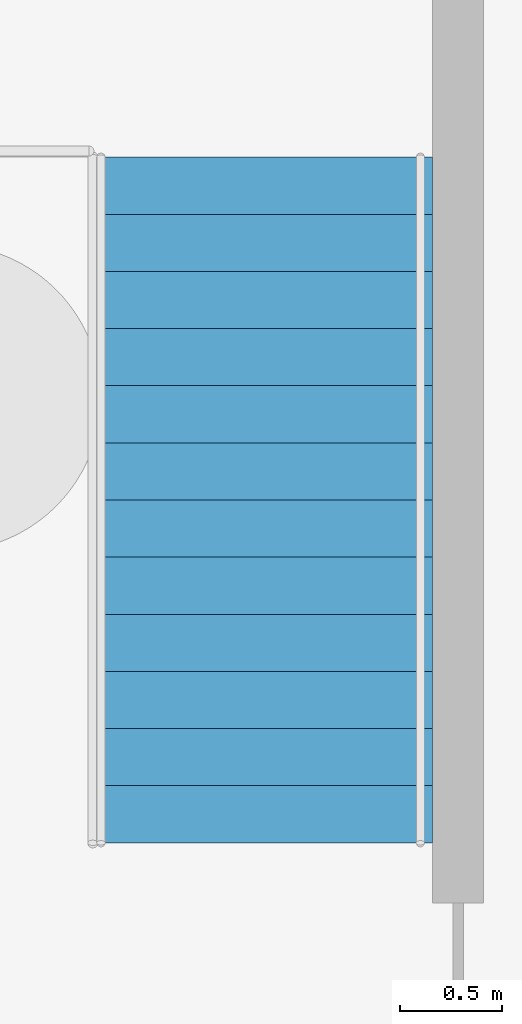
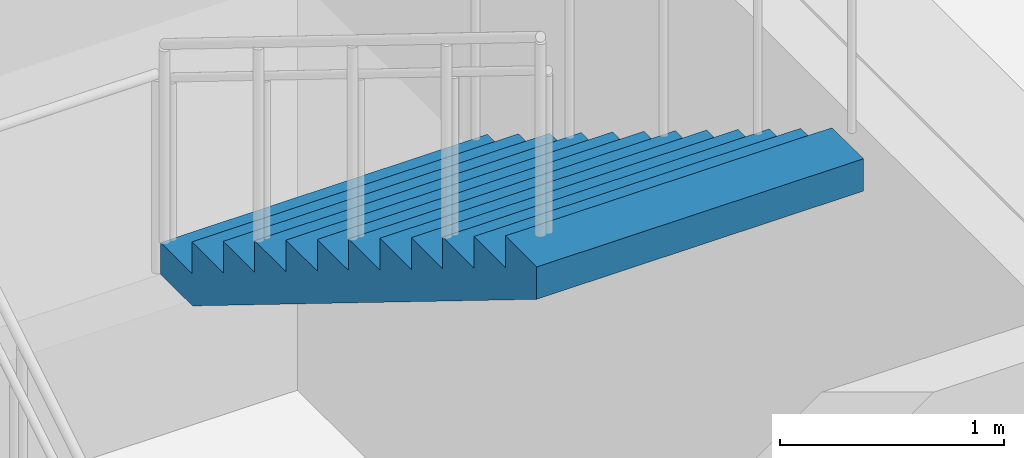
# One storey, part 16 of 28: 1 stair flight, 1 element without a shape of its own.
"""IFC4 building model written with IfcOpenShell, lengths in metres."""

from ifc_helpers import new_model, si_unit, direction, frame, origin, place, context, subcontext, project, spatial, triangles, material, type_object, element, aggregate, save


model = new_model("IFC4")

# Units and contexts
model_context = context("Model", 3, precision=1e-05, world=origin(), true_north=direction((0.0, 1.0)))
body_context = subcontext(model_context, "Body", "Model", "MODEL_VIEW")
ifc_project = project(units=[si_unit("LENGTHUNIT", "METRE"), si_unit("AREAUNIT", "SQUARE_METRE"), si_unit("VOLUMEUNIT", "CUBIC_METRE"), si_unit("PLANEANGLEUNIT", "RADIAN"), si_unit("MASSUNIT", "GRAM", prefix="KILO")], contexts=[model_context])

# Site, building, storey
site_placement = place(None, origin())
site = spatial("IfcSite", under=ifc_project, at=site_placement, CompositionType="ELEMENT")
building_placement = place(site_placement, origin())
building = spatial("IfcBuilding", under=site, at=building_placement, Name="Orbita Commons", CompositionType="ELEMENT")
storey_placement = place(building_placement, frame((0.0, 0.0, -9.0)))
storey = spatial("IfcBuildingStorey", under=building, at=storey_placement, Name="L-02", CompositionType="ELEMENT", Elevation=-9.0)

# Stair, stair flight
ifc_material_1 = material(Name="Precast concrete C40/50", Category="concrete")
stair_type = type_object("IfcStairType", Name="Podium exit stair 2 flights 13 risers 173", PredefinedType="HALF_TURN_STAIR", material=ifc_material_1)
stair_placement = place(storey_placement, origin())
stair = element("IfcStair", 1, at=stair_placement, inside=storey, type_object=stair_type, Name="Podium exit stair PS2 L-02", PredefinedType="HALF_TURN_STAIR")
ifc_material_2 = material(Name="Precast concrete C40/50", Category="concrete")
stair_flight_type = type_object("IfcStairFlightType", Name="Podium stair flight 13 risers 173 x 1685", PredefinedType="STRAIGHT", material=ifc_material_2)
stair_flight_placement = place(storey_placement, frame((76.4326171875, 33.179931640625, 2.25), z_axis=(0.0, 0.0, 1.0), x_axis=(0.0, -1.0, 0.0)))
stair_flight = element("IfcStairFlight", 2, at=stair_flight_placement, type_object=stair_flight_type, Name="PS2 flight 2", NumberOfRisers=13, NumberOfTreads=12, PredefinedType="STRAIGHT", RiserHeight=0.173076923, TreadLength=0.28, context=body_context, shape_type="Tessellation", body=[
    triangles([(0.0, 0.842529, 0.0), (0.0, 0.842529, 0.021635), (0.0, 0.702108, 0.021635), (0.0, 0.702108, 0.0), (0.0, 0.561686, 0.021635), (0.0, 0.561686, 0.0), (0.0, 0.421265, 0.021635), (0.0, 0.421265, 0.0), (0.0, 0.280843, 0.021635), (0.0, 0.280843, 0.0), (0.0, 0.140422, 0.021635), (0.0, 0.140422, 0.0), (0.0, 0.0, 0.021635), (0.0, 0.0, 0.0), (0.0, -0.140422, 0.021635), (0.0, -0.140422, 0.0), (0.0, -0.280843, 0.021635), (0.0, -0.280843, 0.0), (0.0, -0.421265, 0.021635), (0.0, -0.421265, 0.0), (0.0, -0.561686, 0.021635), (0.0, -0.561686, 0.0), (0.0, -0.702108, 0.021635), (0.0, -0.702108, 0.0), (0.0, -0.842529, 0.021635), (0.0, -0.842529, 0.0), (0.0, 0.842529, 0.043269), (0.0, 0.702108, 0.043269), (0.0, 0.561686, 0.043269), (0.0, 0.421265, 0.043269), (0.0, 0.280843, 0.043269), (0.0, 0.140422, 0.043269), (0.0, 0.0, 0.043269), (0.0, -0.140422, 0.043269), (0.0, -0.280843, 0.043269), (0.0, -0.421265, 0.043269), (0.0, -0.561686, 0.043269), (0.0, -0.702108, 0.043269), (0.0, -0.842529, 0.043269), (0.0, 0.842529, 0.064904), (0.0, 0.702108, 0.064904), (0.0, 0.561686, 0.064904), (0.0, 0.421265, 0.064904), (0.0, 0.280843, 0.064904), (0.0, 0.140422, 0.064904), (0.0, 0.0, 0.064904), (0.0, -0.140422, 0.064904), (0.0, -0.280843, 0.064904), (0.0, -0.421265, 0.064904), (0.0, -0.561686, 0.064904), (0.0, -0.702108, 0.064904), (0.0, -0.842529, 0.064904), (0.0, 0.842529, 0.086538), (0.0, 0.702108, 0.086538), (0.0, 0.561686, 0.086538), (0.0, 0.421265, 0.086538), (0.0, 0.280843, 0.086538), (0.0, 0.140422, 0.086538), (0.0, 0.0, 0.086538), (0.0, -0.140422, 0.086538), (0.0, -0.280843, 0.086538), (0.0, -0.421265, 0.086538), (0.0, -0.561686, 0.086538), (0.0, -0.702108, 0.086538), (0.0, -0.842529, 0.086538), (0.0, 0.842529, 0.108173), (0.0, 0.702108, 0.108173), (0.0, 0.561686, 0.108173), (0.0, 0.421265, 0.108173), (0.0, 0.280843, 0.108173), (0.0, 0.140422, 0.108173), (0.0, 0.0, 0.108173), (0.0, -0.140422, 0.108173), (0.0, -0.280843, 0.108173), (0.0, -0.421265, 0.108173), (0.0, -0.561686, 0.108173), (0.0, -0.702108, 0.108173), (0.0, -0.842529, 0.108173), (0.0, 0.842529, 0.129808), (0.0, 0.702108, 0.129808), (0.0, 0.561686, 0.129808), (0.0, 0.421265, 0.129808), (0.0, 0.280843, 0.129808), (0.0, 0.140422, 0.129808), (0.0, 0.0, 0.129808), (0.0, -0.140422, 0.129808), (0.0, -0.280843, 0.129808), (0.0, -0.421265, 0.129808), (0.0, -0.561686, 0.129808), (0.0, -0.702108, 0.129808), (0.0, -0.842529, 0.129808), (0.0, 0.842529, 0.151442), (0.0, 0.702108, 0.151442), (0.0, 0.561686, 0.151442), (0.0, 0.421265, 0.151442), (0.0, 0.280843, 0.151442), (0.0, 0.140422, 0.151442), (0.0, 0.0, 0.151442), (0.0, -0.140422, 0.151442), (0.0, -0.280843, 0.151442), (0.0, -0.421265, 0.151442), (0.0, -0.561686, 0.151442), (0.0, -0.702108, 0.151442), (0.0, -0.842529, 0.151442), (0.0, 0.842529, 0.173077), (0.0, 0.702108, 0.173077), (0.0, 0.561686, 0.173077), (0.0, 0.421265, 0.173077), (0.0, 0.280843, 0.173077), (0.0, 0.140422, 0.173077), (0.0, 0.0, 0.173077), (0.0, -0.140422, 0.173077), (0.0, -0.280843, 0.173077), (0.0, -0.421265, 0.173077), (0.0, -0.561686, 0.173077), (0.0, -0.702108, 0.173077), (0.0, -0.842529, 0.173077), (0.28, 0.842529, 0.173077), (0.28, 0.702108, 0.173077), (0.28, 0.561686, 0.173077), (0.28, 0.421265, 0.173077), (0.28, 0.280843, 0.173077), (0.28, 0.140422, 0.173077), (0.28, 0.0, 0.173077), (0.28, -0.140422, 0.173077), (0.28, -0.280843, 0.173077), (0.28, -0.421265, 0.173077), (0.28, -0.561686, 0.173077), (0.28, -0.702108, 0.173077), (0.28, -0.842529, 0.173077), (0.28, 0.842529, 0.346154), (0.28, 0.702108, 0.346154), (0.28, 0.561686, 0.346154), (0.28, 0.421265, 0.346154), (0.28, 0.280843, 0.346154), (0.28, 0.140422, 0.346154), (0.28, 0.0, 0.346154), (0.28, -0.140422, 0.346154), (0.28, -0.280843, 0.346154), (0.28, -0.421265, 0.346154), (0.28, -0.561686, 0.346154), (0.28, -0.702108, 0.346154), (0.28, -0.842529, 0.346154), (0.56, 0.842529, 0.346154), (0.56, 0.702108, 0.346154), (0.56, 0.561686, 0.346154), (0.56, 0.421265, 0.346154), (0.56, 0.280843, 0.346154), (0.56, 0.140422, 0.346154), (0.56, 0.0, 0.346154), (0.56, -0.140422, 0.346154), (0.56, -0.280843, 0.346154), (0.56, -0.421265, 0.346154), (0.56, -0.561686, 0.346154), (0.56, -0.702108, 0.346154), (0.56, -0.842529, 0.346154), (0.56, 0.842529, 0.519231), (0.56, 0.702108, 0.519231), (0.56, 0.561686, 0.519231), (0.56, 0.421265, 0.519231), (0.56, 0.280843, 0.519231), (0.56, 0.140422, 0.519231), (0.56, 0.0, 0.519231), (0.56, -0.140422, 0.519231), (0.56, -0.280843, 0.519231), (0.56, -0.421265, 0.519231), (0.56, -0.561686, 0.519231), (0.56, -0.702108, 0.519231), (0.56, -0.842529, 0.519231), (0.84, 0.842529, 0.519231), (0.84, 0.702108, 0.519231), (0.84, 0.561686, 0.519231), (0.84, 0.421265, 0.519231), (0.84, 0.280843, 0.519231), (0.84, 0.140422, 0.519231), (0.84, 0.0, 0.519231), (0.84, -0.140422, 0.519231), (0.84, -0.280843, 0.519231), (0.84, -0.421265, 0.519231), (0.84, -0.561686, 0.519231), (0.84, -0.702108, 0.519231), (0.84, -0.842529, 0.519231), (0.84, 0.842529, 0.692308), (0.84, 0.702108, 0.692308), (0.84, 0.561686, 0.692308), (0.84, 0.421265, 0.692308), (0.84, 0.280843, 0.692308), (0.84, 0.140422, 0.692308), (0.84, 0.0, 0.692308), (0.84, -0.140422, 0.692308), (0.84, -0.280843, 0.692308), (0.84, -0.421265, 0.692308), (0.84, -0.561686, 0.692308), (0.84, -0.702108, 0.692308), (0.84, -0.842529, 0.692308), (1.12, 0.842529, 0.692308), (1.12, 0.702108, 0.692308), (1.12, 0.561686, 0.692308), (1.12, 0.421265, 0.692308), (1.12, 0.280843, 0.692308), (1.12, 0.140422, 0.692308), (1.12, 0.0, 0.692308), (1.12, -0.140422, 0.692308), (1.12, -0.280843, 0.692308), (1.12, -0.421265, 0.692308), (1.12, -0.561686, 0.692308), (1.12, -0.702108, 0.692308), (1.12, -0.842529, 0.692308), (1.12, 0.842529, 0.865385), (1.12, 0.702108, 0.865385), (1.12, 0.561686, 0.865385), (1.12, 0.421265, 0.865385), (1.12, 0.280843, 0.865385), (1.12, 0.140422, 0.865385), (1.12, 0.0, 0.865385), (1.12, -0.140422, 0.865385), (1.12, -0.280843, 0.865385), (1.12, -0.421265, 0.865385), (1.12, -0.561686, 0.865385), (1.12, -0.702108, 0.865385), (1.12, -0.842529, 0.865385), (1.4, 0.842529, 0.865385), (1.4, 0.702108, 0.865385), (1.4, 0.561686, 0.865385), (1.4, 0.421265, 0.865385), (1.4, 0.280843, 0.865385), (1.4, 0.140422, 0.865385), (1.4, 0.0, 0.865385), (1.4, -0.140422, 0.865385), (1.4, -0.280843, 0.865385), (1.4, -0.421265, 0.865385), (1.4, -0.561686, 0.865385), (1.4, -0.702108, 0.865385), (1.4, -0.842529, 0.865385), (1.4, 0.842529, 1.038462), (1.4, 0.702108, 1.038462), (1.4, 0.561686, 1.038462), (1.4, 0.421265, 1.038462), (1.4, 0.280843, 1.038462), (1.4, 0.140422, 1.038462), (1.4, 0.0, 1.038462), (1.4, -0.140422, 1.038462), (1.4, -0.280843, 1.038462), (1.4, -0.421265, 1.038462), (1.4, -0.561686, 1.038462), (1.4, -0.702108, 1.038462), (1.4, -0.842529, 1.038462), (1.68, 0.842529, 1.038462), (1.68, 0.702108, 1.038462), (1.68, 0.561686, 1.038462), (1.68, 0.421265, 1.038462), (1.68, 0.280843, 1.038462), (1.68, 0.140422, 1.038462), (1.68, 0.0, 1.038462), (1.68, -0.140422, 1.038462), (1.68, -0.280843, 1.038462), (1.68, -0.421265, 1.038462), (1.68, -0.561686, 1.038462), (1.68, -0.702108, 1.038462), (1.68, -0.842529, 1.038462), (1.68, 0.842529, 1.211538), (1.68, 0.702108, 1.211538), (1.68, 0.561686, 1.211538), (1.68, 0.421265, 1.211538), (1.68, 0.280843, 1.211538), (1.68, 0.140422, 1.211538), (1.68, 0.0, 1.211538), (1.68, -0.140422, 1.211538), (1.68, -0.280843, 1.211538), (1.68, -0.421265, 1.211538), (1.68, -0.561686, 1.211538), (1.68, -0.702108, 1.211538), (1.68, -0.842529, 1.211538), (1.96, 0.842529, 1.211538), (1.96, 0.702108, 1.211538), (1.96, 0.561686, 1.211538), (1.96, 0.421265, 1.211538), (1.96, 0.280843, 1.211538), (1.96, 0.140422, 1.211538), (1.96, 0.0, 1.211538), (1.96, -0.140422, 1.211538), (1.96, -0.280843, 1.211538), (1.96, -0.421265, 1.211538), (1.96, -0.561686, 1.211538), (1.96, -0.702108, 1.211538), (1.96, -0.842529, 1.211538), (1.96, 0.842529, 1.384615), (1.96, 0.702108, 1.384615), (1.96, 0.561686, 1.384615), (1.96, 0.421265, 1.384615), (1.96, 0.280843, 1.384615), (1.96, 0.140422, 1.384615), (1.96, 0.0, 1.384615), (1.96, -0.140422, 1.384615), (1.96, -0.280843, 1.384615), (1.96, -0.421265, 1.384615), (1.96, -0.561686, 1.384615), (1.96, -0.702108, 1.384615), (1.96, -0.842529, 1.384615), (2.24, 0.842529, 1.384615), (2.24, 0.702108, 1.384615), (2.24, 0.561686, 1.384615), (2.24, 0.421265, 1.384615), (2.24, 0.280843, 1.384615), (2.24, 0.140422, 1.384615), (2.24, 0.0, 1.384615), (2.24, -0.140422, 1.384615), (2.24, -0.280843, 1.384615), (2.24, -0.421265, 1.384615), (2.24, -0.561686, 1.384615), (2.24, -0.702108, 1.384615), (2.24, -0.842529, 1.384615), (2.24, 0.842529, 1.557692), (2.24, 0.702108, 1.557692), (2.24, 0.561686, 1.557692), (2.24, 0.421265, 1.557692), (2.24, 0.280843, 1.557692), (2.24, 0.140422, 1.557692), (2.24, 0.0, 1.557692), (2.24, -0.140422, 1.557692), (2.24, -0.280843, 1.557692), (2.24, -0.421265, 1.557692), (2.24, -0.561686, 1.557692), (2.24, -0.702108, 1.557692), (2.24, -0.842529, 1.557692), (2.52, 0.842529, 1.557692), (2.52, 0.702108, 1.557692), (2.52, 0.561686, 1.557692), (2.52, 0.421265, 1.557692), (2.52, 0.280843, 1.557692), (2.52, 0.140422, 1.557692), (2.52, 0.0, 1.557692), (2.52, -0.140422, 1.557692), (2.52, -0.280843, 1.557692), (2.52, -0.421265, 1.557692), (2.52, -0.561686, 1.557692), (2.52, -0.702108, 1.557692), (2.52, -0.842529, 1.557692), (2.52, 0.842529, 1.730769), (2.52, 0.702108, 1.730769), (2.52, 0.561686, 1.730769), (2.52, 0.421265, 1.730769), (2.52, 0.280843, 1.730769), (2.52, 0.140422, 1.730769), (2.52, 0.0, 1.730769), (2.52, -0.140422, 1.730769), (2.52, -0.280843, 1.730769), (2.52, -0.421265, 1.730769), (2.52, -0.561686, 1.730769), (2.52, -0.702108, 1.730769), (2.52, -0.842529, 1.730769), (2.8, 0.842529, 1.730769), (2.8, 0.702108, 1.730769), (2.8, 0.561686, 1.730769), (2.8, 0.421265, 1.730769), (2.8, 0.280843, 1.730769), (2.8, 0.140422, 1.730769), (2.8, 0.0, 1.730769), (2.8, -0.140422, 1.730769), (2.8, -0.280843, 1.730769), (2.8, -0.421265, 1.730769), (2.8, -0.561686, 1.730769), (2.8, -0.702108, 1.730769), (2.8, -0.842529, 1.730769), (2.8, 0.842529, 1.903846), (2.8, 0.702108, 1.903846), (2.8, 0.561686, 1.903846), (2.8, 0.421265, 1.903846), (2.8, 0.280843, 1.903846), (2.8, 0.140422, 1.903846), (2.8, 0.0, 1.903846), (2.8, -0.140422, 1.903846), (2.8, -0.280843, 1.903846), (2.8, -0.421265, 1.903846), (2.8, -0.561686, 1.903846), (2.8, -0.702108, 1.903846), (2.8, -0.842529, 1.903846), (3.08, 0.842529, 1.903846), (3.08, 0.702108, 1.903846), (3.08, 0.561686, 1.903846), (3.08, 0.421265, 1.903846), (3.08, 0.280843, 1.903846), (3.08, 0.140422, 1.903846), (3.08, 0.0, 1.903846), (3.08, -0.140422, 1.903846), (3.08, -0.280843, 1.903846), (3.08, -0.421265, 1.903846), (3.08, -0.561686, 1.903846), (3.08, -0.702108, 1.903846), (3.08, -0.842529, 1.903846), (3.08, 0.842529, 2.076923), (3.08, 0.702108, 2.076923), (3.08, 0.561686, 2.076923), (3.08, 0.421265, 2.076923), (3.08, 0.280843, 2.076923), (3.08, 0.140422, 2.076923), (3.08, 0.0, 2.076923), (3.08, -0.140422, 2.076923), (3.08, -0.280843, 2.076923), (3.08, -0.421265, 2.076923), (3.08, -0.561686, 2.076923), (3.08, -0.702108, 2.076923), (3.08, -0.842529, 2.076923), (3.36, 0.842529, 2.076923), (3.36, 0.702108, 2.076923), (3.36, 0.561686, 2.076923), (3.36, 0.421265, 2.076923), (3.36, 0.280843, 2.076923), (3.36, 0.140422, 2.076923), (3.36, 0.0, 2.076923), (3.36, -0.140422, 2.076923), (3.36, -0.280843, 2.076923), (3.36, -0.421265, 2.076923), (3.36, -0.561686, 2.076923), (3.36, -0.702108, 2.076923), (3.36, -0.842529, 2.076923), (3.36, 0.842529, 2.054895), (3.36, 0.702108, 2.054895), (3.36, 0.561686, 2.054895), (3.36, 0.421265, 2.054895), (3.36, 0.280843, 2.054895), (3.36, 0.140422, 2.054895), (3.36, 0.0, 2.054895), (3.36, -0.140422, 2.054895), (3.36, -0.280843, 2.054895), (3.36, -0.421265, 2.054895), (3.36, -0.561686, 2.054895), (3.36, -0.702108, 2.054895), (3.36, -0.842529, 2.054895), (3.36, 0.842529, 2.032866), (3.36, 0.702108, 2.032866), (3.36, 0.561686, 2.032866), (3.36, 0.421265, 2.032866), (3.36, 0.280843, 2.032866), (3.36, 0.140422, 2.032866), (3.36, 0.0, 2.032866), (3.36, -0.140422, 2.032866), (3.36, -0.280843, 2.032866), (3.36, -0.421265, 2.032866), (3.36, -0.561686, 2.032866), (3.36, -0.702108, 2.032866), (3.36, -0.842529, 2.032866), (3.36, 0.842529, 2.010837), (3.36, 0.702108, 2.010837), (3.36, 0.561686, 2.010837), (3.36, 0.421265, 2.010837), (3.36, 0.280843, 2.010837), (3.36, 0.140422, 2.010837), (3.36, 0.0, 2.010837), (3.36, -0.140422, 2.010837), (3.36, -0.280843, 2.010837), (3.36, -0.421265, 2.010837), (3.36, -0.561686, 2.010837), (3.36, -0.702108, 2.010837), (3.36, -0.842529, 2.010837), (3.36, 0.842529, 1.988809), (3.36, 0.702108, 1.988809), (3.36, 0.561686, 1.988809), (3.36, 0.421265, 1.988809), (3.36, 0.280843, 1.988809), (3.36, 0.140422, 1.988809), (3.36, 0.0, 1.988809), (3.36, -0.140422, 1.988809), (3.36, -0.280843, 1.988809), (3.36, -0.421265, 1.988809), (3.36, -0.561686, 1.988809), (3.36, -0.702108, 1.988809), (3.36, -0.842529, 1.988809), (3.36, 0.842529, 1.96678), (3.36, 0.702108, 1.96678), (3.36, 0.561686, 1.96678), (3.36, 0.421265, 1.96678), (3.36, 0.280843, 1.96678), (3.36, 0.140422, 1.96678), (3.36, 0.0, 1.96678), (3.36, -0.140422, 1.96678), (3.36, -0.280843, 1.96678), (3.36, -0.421265, 1.96678), (3.36, -0.561686, 1.96678), (3.36, -0.702108, 1.96678), (3.36, -0.842529, 1.96678), (3.36, 0.842529, 1.944752), (3.36, 0.702108, 1.944752), (3.36, 0.561686, 1.944752), (3.36, 0.421265, 1.944752), (3.36, 0.280843, 1.944752), (3.36, 0.140422, 1.944752), (3.36, 0.0, 1.944752), (3.36, -0.140422, 1.944752), (3.36, -0.280843, 1.944752), (3.36, -0.421265, 1.944752), (3.36, -0.561686, 1.944752), (3.36, -0.702108, 1.944752), (3.36, -0.842529, 1.944752), (3.36, 0.842529, 1.922723), (3.36, 0.702108, 1.922723), (3.36, 0.561686, 1.922723), (3.36, 0.421265, 1.922723), (3.36, 0.280843, 1.922723), (3.36, 0.140422, 1.922723), (3.36, 0.0, 1.922723), (3.36, -0.140422, 1.922723), (3.36, -0.280843, 1.922723), (3.36, -0.421265, 1.922723), (3.36, -0.561686, 1.922723), (3.36, -0.702108, 1.922723), (3.36, -0.842529, 1.922723), (3.36, 0.842529, 1.900695), (3.36, 0.702108, 1.900695), (3.36, 0.561686, 1.900695), (3.36, 0.421265, 1.900695), (3.36, 0.280843, 1.900695), (3.36, 0.140422, 1.900695), (3.36, 0.0, 1.900695), (3.36, -0.140422, 1.900695), (3.36, -0.280843, 1.900695), (3.36, -0.421265, 1.900695), (3.36, -0.561686, 1.900695), (3.36, -0.702108, 1.900695), (3.36, -0.842529, 1.900695), (0.285099, 0.842529, 0.0), (0.285099, 0.702108, 0.0), (0.285099, 0.561686, 0.0), (0.285099, 0.421265, 0.0), (0.285099, 0.280843, 0.0), (0.285099, 0.140422, 0.0), (0.285099, 0.0, 0.0), (0.285099, -0.140422, 0.0), (0.285099, -0.280843, 0.0), (0.285099, -0.421265, 0.0), (0.285099, -0.561686, 0.0), (0.285099, -0.702108, 0.0), (0.285099, -0.842529, 0.0)], [[3, 2, 1], [4, 3, 1], [5, 3, 4], [6, 5, 4], [7, 5, 6], [8, 7, 6], [9, 7, 8], [10, 9, 8], [11, 9, 10], [12, 11, 10], [13, 11, 12], [14, 13, 12], [15, 13, 14], [16, 15, 14], [17, 15, 16], [18, 17, 16], [19, 17, 18], [20, 19, 18], [21, 19, 20], [22, 21, 20], [23, 21, 22], [24, 23, 22], [25, 23, 24], [26, 25, 24], [28, 27, 2], [3, 28, 2], [29, 28, 3], [5, 29, 3], [30, 29, 5], [7, 30, 5], [31, 30, 7], [9, 31, 7], [32, 31, 9], [11, 32, 9], [33, 32, 11], [13, 33, 11], [34, 33, 13], [15, 34, 13], [35, 34, 15], [17, 35, 15], [36, 35, 17], [19, 36, 17], [37, 36, 19], [21, 37, 19], [38, 37, 21], [23, 38, 21], [39, 38, 23], [25, 39, 23], [41, 40, 27], [28, 41, 27], [42, 41, 28], [29, 42, 28], [43, 42, 29], [30, 43, 29], [44, 43, 30], [31, 44, 30], [45, 44, 31], [32, 45, 31], [46, 45, 32], [33, 46, 32], [47, 46, 33], [34, 47, 33], [48, 47, 34], [35, 48, 34], [49, 48, 35], [36, 49, 35], [50, 49, 36], [37, 50, 36], [51, 50, 37], [38, 51, 37], [52, 51, 38], [39, 52, 38], [54, 53, 40], [41, 54, 40], [55, 54, 41], [42, 55, 41], [56, 55, 42], [43, 56, 42], [57, 56, 43], [44, 57, 43], [58, 57, 44], [45, 58, 44], [59, 58, 45], [46, 59, 45], [60, 59, 46], [47, 60, 46], [61, 60, 47], [48, 61, 47], [62, 61, 48], [49, 62, 48], [63, 62, 49], [50, 63, 49], [64, 63, 50], [51, 64, 50], [65, 64, 51], [52, 65, 51], [67, 66, 53], [54, 67, 53], [68, 67, 54], [55, 68, 54], [69, 68, 55], [56, 69, 55], [70, 69, 56], [57, 70, 56], [71, 70, 57], [58, 71, 57], [72, 71, 58], [59, 72, 58], [73, 72, 59], [60, 73, 59], [74, 73, 60], [61, 74, 60], [75, 74, 61], [62, 75, 61], [76, 75, 62], [63, 76, 62], [77, 76, 63], [64, 77, 63], [78, 77, 64], [65, 78, 64], [80, 79, 66], [67, 80, 66], [81, 80, 67], [68, 81, 67], [82, 81, 68], [69, 82, 68], [83, 82, 69], [70, 83, 69], [84, 83, 70], [71, 84, 70], [85, 84, 71], [72, 85, 71], [86, 85, 72], [73, 86, 72], [87, 86, 73], [74, 87, 73], [88, 87, 74], [75, 88, 74], [89, 88, 75], [76, 89, 75], [90, 89, 76], [77, 90, 76], [91, 90, 77], [78, 91, 77], [93, 92, 79], [80, 93, 79], [94, 93, 80], [81, 94, 80], [95, 94, 81], [82, 95, 81], [96, 95, 82], [83, 96, 82], [97, 96, 83], [84, 97, 83], [98, 97, 84], [85, 98, 84], [99, 98, 85], [86, 99, 85], [100, 99, 86], [87, 100, 86], [101, 100, 87], [88, 101, 87], [102, 101, 88], [89, 102, 88], [103, 102, 89], [90, 103, 89], [104, 103, 90], [91, 104, 90], [106, 105, 92], [93, 106, 92], [107, 106, 93], [94, 107, 93], [108, 107, 94], [95, 108, 94], [109, 108, 95], [96, 109, 95], [110, 109, 96], [97, 110, 96], [111, 110, 97], [98, 111, 97], [112, 111, 98], [99, 112, 98], [113, 112, 99], [100, 113, 99], [114, 113, 100], [101, 114, 100], [115, 114, 101], [102, 115, 101], [116, 115, 102], [103, 116, 102], [117, 116, 103], [104, 117, 103], [119, 118, 105], [106, 119, 105], [120, 119, 106], [107, 120, 106], [121, 120, 107], [108, 121, 107], [122, 121, 108], [109, 122, 108], [123, 122, 109], [110, 123, 109], [124, 123, 110], [111, 124, 110], [125, 124, 111], [112, 125, 111], [126, 125, 112], [113, 126, 112], [127, 126, 113], [114, 127, 113], [128, 127, 114], [115, 128, 114], [129, 128, 115], [116, 129, 115], [130, 129, 116], [117, 130, 116], [132, 131, 118], [119, 132, 118], [133, 132, 119], [120, 133, 119], [134, 133, 120], [121, 134, 120], [135, 134, 121], [122, 135, 121], [136, 135, 122], [123, 136, 122], [137, 136, 123], [124, 137, 123], [138, 137, 124], [125, 138, 124], [139, 138, 125], [126, 139, 125], [140, 139, 126], [127, 140, 126], [141, 140, 127], [128, 141, 127], [142, 141, 128], [129, 142, 128], [143, 142, 129], [130, 143, 129], [145, 144, 131], [132, 145, 131], [146, 145, 132], [133, 146, 132], [147, 146, 133], [134, 147, 133], [148, 147, 134], [135, 148, 134], [149, 148, 135], [136, 149, 135], [150, 149, 136], [137, 150, 136], [151, 150, 137], [138, 151, 137], [152, 151, 138], [139, 152, 138], [153, 152, 139], [140, 153, 139], [154, 153, 140], [141, 154, 140], [155, 154, 141], [142, 155, 141], [156, 155, 142], [143, 156, 142], [158, 157, 144], [145, 158, 144], [159, 158, 145], [146, 159, 145], [160, 159, 146], [147, 160, 146], [161, 160, 147], [148, 161, 147], [162, 161, 148], [149, 162, 148], [163, 162, 149], [150, 163, 149], [164, 163, 150], [151, 164, 150], [165, 164, 151], [152, 165, 151], [166, 165, 152], [153, 166, 152], [167, 166, 153], [154, 167, 153], [168, 167, 154], [155, 168, 154], [169, 168, 155], [156, 169, 155], [171, 170, 157], [158, 171, 157], [172, 171, 158], [159, 172, 158], [173, 172, 159], [160, 173, 159], [174, 173, 160], [161, 174, 160], [175, 174, 161], [162, 175, 161], [176, 175, 162], [163, 176, 162], [177, 176, 163], [164, 177, 163], [178, 177, 164], [165, 178, 164], [179, 178, 165], [166, 179, 165], [180, 179, 166], [167, 180, 166], [181, 180, 167], [168, 181, 167], [182, 181, 168], [169, 182, 168], [184, 183, 170], [171, 184, 170], [185, 184, 171], [172, 185, 171], [186, 185, 172], [173, 186, 172], [187, 186, 173], [174, 187, 173], [188, 187, 174], [175, 188, 174], [189, 188, 175], [176, 189, 175], [190, 189, 176], [177, 190, 176], [191, 190, 177], [178, 191, 177], [192, 191, 178], [179, 192, 178], [193, 192, 179], [180, 193, 179], [194, 193, 180], [181, 194, 180], [195, 194, 181], [182, 195, 181], [197, 196, 183], [184, 197, 183], [198, 197, 184], [185, 198, 184], [199, 198, 185], [186, 199, 185], [200, 199, 186], [187, 200, 186], [201, 200, 187], [188, 201, 187], [202, 201, 188], [189, 202, 188], [203, 202, 189], [190, 203, 189], [204, 203, 190], [191, 204, 190], [205, 204, 191], [192, 205, 191], [206, 205, 192], [193, 206, 192], [207, 206, 193], [194, 207, 193], [208, 207, 194], [195, 208, 194], [210, 209, 196], [197, 210, 196], [211, 210, 197], [198, 211, 197], [212, 211, 198], [199, 212, 198], [213, 212, 199], [200, 213, 199], [214, 213, 200], [201, 214, 200], [215, 214, 201], [202, 215, 201], [216, 215, 202], [203, 216, 202], [217, 216, 203], [204, 217, 203], [218, 217, 204], [205, 218, 204], [219, 218, 205], [206, 219, 205], [220, 219, 206], [207, 220, 206], [221, 220, 207], [208, 221, 207], [223, 222, 209], [210, 223, 209], [224, 223, 210], [211, 224, 210], [225, 224, 211], [212, 225, 211], [226, 225, 212], [213, 226, 212], [227, 226, 213], [214, 227, 213], [228, 227, 214], [215, 228, 214], [229, 228, 215], [216, 229, 215], [230, 229, 216], [217, 230, 216], [231, 230, 217], [218, 231, 217], [232, 231, 218], [219, 232, 218], [233, 232, 219], [220, 233, 219], [234, 233, 220], [221, 234, 220], [236, 235, 222], [223, 236, 222], [237, 236, 223], [224, 237, 223], [238, 237, 224], [225, 238, 224], [239, 238, 225], [226, 239, 225], [240, 239, 226], [227, 240, 226], [241, 240, 227], [228, 241, 227], [242, 241, 228], [229, 242, 228], [243, 242, 229], [230, 243, 229], [244, 243, 230], [231, 244, 230], [245, 244, 231], [232, 245, 231], [246, 245, 232], [233, 246, 232], [247, 246, 233], [234, 247, 233], [249, 248, 235], [236, 249, 235], [250, 249, 236], [237, 250, 236], [251, 250, 237], [238, 251, 237], [252, 251, 238], [239, 252, 238], [253, 252, 239], [240, 253, 239], [254, 253, 240], [241, 254, 240], [255, 254, 241], [242, 255, 241], [256, 255, 242], [243, 256, 242], [257, 256, 243], [244, 257, 243], [258, 257, 244], [245, 258, 244], [259, 258, 245], [246, 259, 245], [260, 259, 246], [247, 260, 246], [262, 261, 248], [249, 262, 248], [263, 262, 249], [250, 263, 249], [264, 263, 250], [251, 264, 250], [265, 264, 251], [252, 265, 251], [266, 265, 252], [253, 266, 252], [267, 266, 253], [254, 267, 253], [268, 267, 254], [255, 268, 254], [269, 268, 255], [256, 269, 255], [270, 269, 256], [257, 270, 256], [271, 270, 257], [258, 271, 257], [272, 271, 258], [259, 272, 258], [273, 272, 259], [260, 273, 259], [275, 274, 261], [262, 275, 261], [276, 275, 262], [263, 276, 262], [277, 276, 263], [264, 277, 263], [278, 277, 264], [265, 278, 264], [279, 278, 265], [266, 279, 265], [280, 279, 266], [267, 280, 266], [281, 280, 267], [268, 281, 267], [282, 281, 268], [269, 282, 268], [283, 282, 269], [270, 283, 269], [284, 283, 270], [271, 284, 270], [285, 284, 271], [272, 285, 271], [286, 285, 272], [273, 286, 272], [288, 287, 274], [275, 288, 274], [289, 288, 275], [276, 289, 275], [290, 289, 276], [277, 290, 276], [291, 290, 277], [278, 291, 277], [292, 291, 278], [279, 292, 278], [293, 292, 279], [280, 293, 279], [294, 293, 280], [281, 294, 280], [295, 294, 281], [282, 295, 281], [296, 295, 282], [283, 296, 282], [297, 296, 283], [284, 297, 283], [298, 297, 284], [285, 298, 284], [299, 298, 285], [286, 299, 285], [301, 300, 287], [288, 301, 287], [302, 301, 288], [289, 302, 288], [303, 302, 289], [290, 303, 289], [304, 303, 290], [291, 304, 290], [305, 304, 291], [292, 305, 291], [306, 305, 292], [293, 306, 292], [307, 306, 293], [294, 307, 293], [308, 307, 294], [295, 308, 294], [309, 308, 295], [296, 309, 295], [310, 309, 296], [297, 310, 296], [311, 310, 297], [298, 311, 297], [312, 311, 298], [299, 312, 298], [314, 313, 300], [301, 314, 300], [315, 314, 301], [302, 315, 301], [316, 315, 302], [303, 316, 302], [317, 316, 303], [304, 317, 303], [318, 317, 304], [305, 318, 304], [319, 318, 305], [306, 319, 305], [320, 319, 306], [307, 320, 306], [321, 320, 307], [308, 321, 307], [322, 321, 308], [309, 322, 308], [323, 322, 309], [310, 323, 309], [324, 323, 310], [311, 324, 310], [325, 324, 311], [312, 325, 311], [327, 326, 313], [314, 327, 313], [328, 327, 314], [315, 328, 314], [329, 328, 315], [316, 329, 315], [330, 329, 316], [317, 330, 316], [331, 330, 317], [318, 331, 317], [332, 331, 318], [319, 332, 318], [333, 332, 319], [320, 333, 319], [334, 333, 320], [321, 334, 320], [335, 334, 321], [322, 335, 321], [336, 335, 322], [323, 336, 322], [337, 336, 323], [324, 337, 323], [338, 337, 324], [325, 338, 324], [340, 339, 326], [327, 340, 326], [341, 340, 327], [328, 341, 327], [342, 341, 328], [329, 342, 328], [343, 342, 329], [330, 343, 329], [344, 343, 330], [331, 344, 330], [345, 344, 331], [332, 345, 331], [346, 345, 332], [333, 346, 332], [347, 346, 333], [334, 347, 333], [348, 347, 334], [335, 348, 334], [349, 348, 335], [336, 349, 335], [350, 349, 336], [337, 350, 336], [351, 350, 337], [338, 351, 337], [353, 352, 339], [340, 353, 339], [354, 353, 340], [341, 354, 340], [355, 354, 341], [342, 355, 341], [356, 355, 342], [343, 356, 342], [357, 356, 343], [344, 357, 343], [358, 357, 344], [345, 358, 344], [359, 358, 345], [346, 359, 345], [360, 359, 346], [347, 360, 346], [361, 360, 347], [348, 361, 347], [362, 361, 348], [349, 362, 348], [363, 362, 349], [350, 363, 349], [364, 363, 350], [351, 364, 350], [366, 365, 352], [353, 366, 352], [367, 366, 353], [354, 367, 353], [368, 367, 354], [355, 368, 354], [369, 368, 355], [356, 369, 355], [370, 369, 356], [357, 370, 356], [371, 370, 357], [358, 371, 357], [372, 371, 358], [359, 372, 358], [373, 372, 359], [360, 373, 359], [374, 373, 360], [361, 374, 360], [375, 374, 361], [362, 375, 361], [376, 375, 362], [363, 376, 362], [377, 376, 363], [364, 377, 363], [379, 378, 365], [366, 379, 365], [380, 379, 366], [367, 380, 366], [381, 380, 367], [368, 381, 367], [382, 381, 368], [369, 382, 368], [383, 382, 369], [370, 383, 369], [384, 383, 370], [371, 384, 370], [385, 384, 371], [372, 385, 371], [386, 385, 372], [373, 386, 372], [387, 386, 373], [374, 387, 373], [388, 387, 374], [375, 388, 374], [389, 388, 375], [376, 389, 375], [390, 389, 376], [377, 390, 376], [392, 391, 378], [379, 392, 378], [393, 392, 379], [380, 393, 379], [394, 393, 380], [381, 394, 380], [395, 394, 381], [382, 395, 381], [396, 395, 382], [383, 396, 382], [397, 396, 383], [384, 397, 383], [398, 397, 384], [385, 398, 384], [399, 398, 385], [386, 399, 385], [400, 399, 386], [387, 400, 386], [401, 400, 387], [388, 401, 387], [402, 401, 388], [389, 402, 388], [403, 402, 389], [390, 403, 389], [405, 404, 391], [392, 405, 391], [406, 405, 392], [393, 406, 392], [407, 406, 393], [394, 407, 393], [408, 407, 394], [395, 408, 394], [409, 408, 395], [396, 409, 395], [410, 409, 396], [397, 410, 396], [411, 410, 397], [398, 411, 397], [412, 411, 398], [399, 412, 398], [413, 412, 399], [400, 413, 399], [414, 413, 400], [401, 414, 400], [415, 414, 401], [402, 415, 401], [416, 415, 402], [403, 416, 402], [418, 417, 404], [405, 418, 404], [419, 418, 405], [406, 419, 405], [420, 419, 406], [407, 420, 406], [421, 420, 407], [408, 421, 407], [422, 421, 408], [409, 422, 408], [423, 422, 409], [410, 423, 409], [424, 423, 410], [411, 424, 410], [425, 424, 411], [412, 425, 411], [426, 425, 412], [413, 426, 412], [427, 426, 413], [414, 427, 413], [428, 427, 414], [415, 428, 414], [429, 428, 415], [416, 429, 415], [431, 430, 417], [418, 431, 417], [432, 431, 418], [419, 432, 418], [433, 432, 419], [420, 433, 419], [434, 433, 420], [421, 434, 420], [435, 434, 421], [422, 435, 421], [436, 435, 422], [423, 436, 422], [437, 436, 423], [424, 437, 423], [438, 437, 424], [425, 438, 424], [439, 438, 425], [426, 439, 425], [440, 439, 426], [427, 440, 426], [441, 440, 427], [428, 441, 427], [442, 441, 428], [429, 442, 428], [444, 443, 430], [431, 444, 430], [445, 444, 431], [432, 445, 431], [446, 445, 432], [433, 446, 432], [447, 446, 433], [434, 447, 433], [448, 447, 434], [435, 448, 434], [449, 448, 435], [436, 449, 435], [450, 449, 436], [437, 450, 436], [451, 450, 437], [438, 451, 437], [452, 451, 438], [439, 452, 438], [453, 452, 439], [440, 453, 439], [454, 453, 440], [441, 454, 440], [455, 454, 441], [442, 455, 441], [457, 456, 443], [444, 457, 443], [458, 457, 444], [445, 458, 444], [459, 458, 445], [446, 459, 445], [460, 459, 446], [447, 460, 446], [461, 460, 447], [448, 461, 447], [462, 461, 448], [449, 462, 448], [463, 462, 449], [450, 463, 449], [464, 463, 450], [451, 464, 450], [465, 464, 451], [452, 465, 451], [466, 465, 452], [453, 466, 452], [467, 466, 453], [454, 467, 453], [468, 467, 454], [455, 468, 454], [470, 469, 456], [457, 470, 456], [471, 470, 457], [458, 471, 457], [472, 471, 458], [459, 472, 458], [473, 472, 459], [460, 473, 459], [474, 473, 460], [461, 474, 460], [475, 474, 461], [462, 475, 461], [476, 475, 462], [463, 476, 462], [477, 476, 463], [464, 477, 463], [478, 477, 464], [465, 478, 464], [479, 478, 465], [466, 479, 465], [480, 479, 466], [467, 480, 466], [481, 480, 467], [468, 481, 467], [483, 482, 469], [470, 483, 469], [484, 483, 470], [471, 484, 470], [485, 484, 471], [472, 485, 471], [486, 485, 472], [473, 486, 472], [487, 486, 473], [474, 487, 473], [488, 487, 474], [475, 488, 474], [489, 488, 475], [476, 489, 475], [490, 489, 476], [477, 490, 476], [491, 490, 477], [478, 491, 477], [492, 491, 478], [479, 492, 478], [493, 492, 479], [480, 493, 479], [494, 493, 480], [481, 494, 480], [496, 495, 482], [483, 496, 482], [497, 496, 483], [484, 497, 483], [498, 497, 484], [485, 498, 484], [499, 498, 485], [486, 499, 485], [500, 499, 486], [487, 500, 486], [501, 500, 487], [488, 501, 487], [502, 501, 488], [489, 502, 488], [503, 502, 489], [490, 503, 489], [504, 503, 490], [491, 504, 490], [505, 504, 491], [492, 505, 491], [506, 505, 492], [493, 506, 492], [507, 506, 493], [494, 507, 493], [509, 508, 495], [496, 509, 495], [510, 509, 496], [497, 510, 496], [511, 510, 497], [498, 511, 497], [512, 511, 498], [499, 512, 498], [513, 512, 499], [500, 513, 499], [514, 513, 500], [501, 514, 500], [515, 514, 501], [502, 515, 501], [516, 515, 502], [503, 516, 502], [517, 516, 503], [504, 517, 503], [518, 517, 504], [505, 518, 504], [519, 518, 505], [506, 519, 505], [520, 519, 506], [507, 520, 506], [522, 521, 508], [509, 522, 508], [523, 522, 509], [510, 523, 509], [524, 523, 510], [511, 524, 510], [525, 524, 511], [512, 525, 511], [526, 525, 512], [513, 526, 512], [527, 526, 513], [514, 527, 513], [528, 527, 514], [515, 528, 514], [529, 528, 515], [516, 529, 515], [530, 529, 516], [517, 530, 516], [531, 530, 517], [518, 531, 517], [532, 531, 518], [519, 532, 518], [533, 532, 519], [520, 533, 519], [4, 1, 521], [522, 4, 521], [6, 4, 522], [523, 6, 522], [8, 6, 523], [524, 8, 523], [10, 8, 524], [525, 10, 524], [12, 10, 525], [526, 12, 525], [14, 12, 526], [527, 14, 526], [16, 14, 527], [528, 16, 527], [18, 16, 528], [529, 18, 528], [20, 18, 529], [530, 20, 529], [22, 20, 530], [531, 22, 530], [24, 22, 531], [532, 24, 531], [26, 24, 532], [533, 26, 532], [508, 521, 1], [26, 533, 520], [495, 508, 1], [26, 520, 507], [482, 495, 1], [26, 507, 494], [469, 482, 1], [26, 494, 481], [456, 469, 1], [26, 481, 468], [443, 456, 1], [26, 468, 455], [430, 443, 1], [26, 455, 442], [417, 430, 1], [26, 442, 429], [391, 404, 417], [429, 416, 403], [378, 391, 417], [429, 403, 390], [352, 365, 378], [390, 377, 364], [352, 378, 417], [429, 390, 364], [326, 339, 352], [364, 351, 338], [326, 352, 417], [429, 364, 338], [300, 313, 326], [338, 325, 312], [300, 326, 417], [429, 338, 312], [274, 287, 300], [312, 299, 286], [274, 300, 417], [429, 312, 286], [248, 261, 274], [286, 273, 260], [248, 274, 417], [429, 286, 260], [222, 235, 248], [260, 247, 234], [222, 248, 417], [429, 260, 234], [196, 209, 222], [234, 221, 208], [196, 222, 417], [429, 234, 208], [170, 183, 196], [208, 195, 182], [170, 196, 417], [429, 208, 182], [144, 157, 170], [182, 169, 156], [144, 170, 417], [429, 182, 156], [118, 131, 144], [156, 143, 130], [118, 144, 417], [429, 156, 130], [118, 417, 1], [26, 429, 130], [92, 105, 118], [130, 117, 104], [79, 92, 118], [130, 104, 91], [66, 79, 118], [130, 91, 78], [53, 66, 118], [130, 78, 65], [40, 53, 118], [130, 65, 52], [27, 40, 118], [130, 52, 39], [2, 27, 118], [130, 39, 25], [1, 2, 118], [130, 25, 26]], closed=True),
])
aggregate(stair, [stair_flight])

save(model, "model.ifc")
